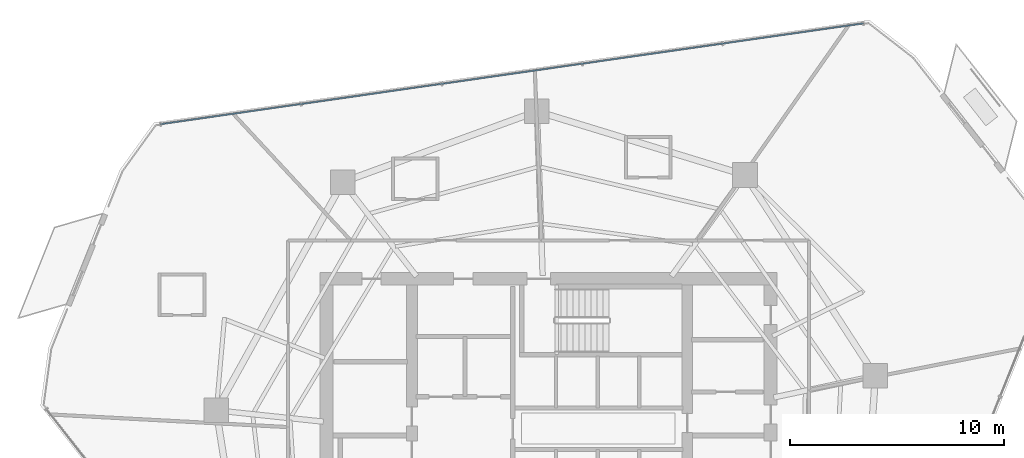
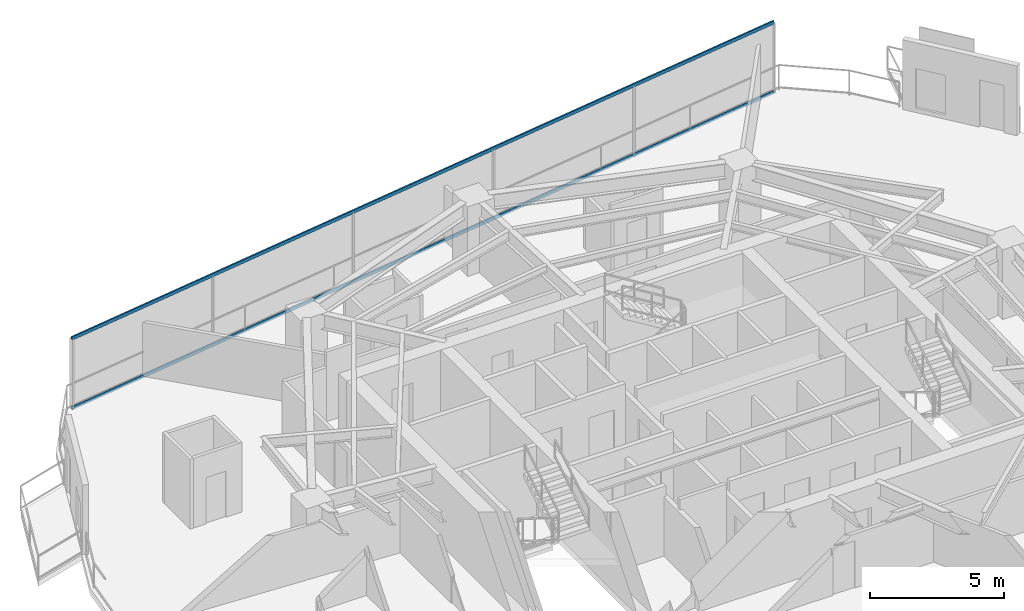
# One storey, part 19 of 29: 2 members, 1 element without a shape of its own.
"""IFC4 building model written with IfcOpenShell, lengths in metres."""

from ifc_helpers import new_model, si_unit, direction, frame, origin, origin_2d, place, context, subcontext, project, spatial, hollow_rectangle, extrude, material, layer, layer_set, material_profile, profile_set, type_object, element, aggregate, save


model = new_model("IFC4")

# Units and contexts
model_context = context("Model", 3, precision=1e-05, world=origin(), true_north=direction((0.0, 1.0)))
body_context = subcontext(model_context, "Body", "Model", "MODEL_VIEW")
ifc_project = project(units=[si_unit("LENGTHUNIT", "METRE"), si_unit("AREAUNIT", "SQUARE_METRE"), si_unit("VOLUMEUNIT", "CUBIC_METRE"), si_unit("PLANEANGLEUNIT", "RADIAN"), si_unit("MASSUNIT", "GRAM", prefix="KILO")], contexts=[model_context])

# Site, building, storey
site_placement = place(None, origin())
site = spatial("IfcSite", under=ifc_project, at=site_placement, CompositionType="ELEMENT")
building_placement = place(site_placement, origin())
building = spatial("IfcBuilding", under=site, at=building_placement, Name="Qarnah Convention Tower", CompositionType="ELEMENT")
storey_placement = place(building_placement, frame((0.0, 0.0, 97.050048828125)))
storey = spatial("IfcBuildingStorey", under=building, at=storey_placement, Name="L25", CompositionType="ELEMENT", Elevation=97.050048828125)

# Curtain wall, members
ifc_material_1 = material(Name="Tempered Low-E dark glass", Category="glass")
ifc_layer = layer(ifc_material_1, 0.169921875)
ifc_layer_set = layer_set([ifc_layer], Name="Tempered Low-E dark glass")
curtain_wall_type = type_object("IfcCurtainWallType", Name="CWS-02", PredefinedType="NOTDEFINED", material=ifc_layer_set)
curtain_wall_placement = place(storey_placement, origin())
curtain_wall = element("IfcCurtainWall", 1, at=curtain_wall_placement, inside=storey, type_object=curtain_wall_type, Name="L25 unitised curtain wall CW-L25-F1", PredefinedType="NOTDEFINED")
ifc_material_2 = material(Name="Black anodised aluminium", Category="aluminium")
ifc_material_profile = material_profile(ifc_material_2, hollow_rectangle(XDim=0.06494140625, YDim=0.14990234375, WallThickness=0.00390625, at=origin_2d()), Name="TRN-65X150")
ifc_profile_set = profile_set([ifc_material_profile], Name="Black anodised aluminium")
member_type = type_object("IfcMemberType", Name="TRN-T2", PredefinedType="USERDEFINED", material=ifc_profile_set)
member_1_placement = place(storey_placement, frame((19.031005859375, 41.44091796875, 0.0), z_axis=(0.989875928914, 0.14193535626, 0.0), x_axis=(-0.14193535626, 0.989875928914, 0.0)))
member_1 = element("IfcMember", 2, at=member_1_placement, type_object=member_type, Name="CW-L25-F1 transom 1", ObjectType="TRANSOM", PredefinedType="USERDEFINED", context=body_context, shape_type="SweptSolid", body=[
    extrude(hollow_rectangle(XDim=0.06494140625, YDim=0.14990234375, WallThickness=0.00390625, at=origin_2d()), origin(), (0.0, 0.0, 1.0), 33.24755859375),
])
member_2_placement = place(storey_placement, frame((19.031005859375, 41.44091796875, 3.169921875), z_axis=(0.989875928914, 0.14193535626, 0.0), x_axis=(-0.14193535626, 0.989875928914, 0.0)))
member_2 = element("IfcMember", 3, at=member_2_placement, type_object=member_type, Name="CW-L25-F1 transom 2", ObjectType="TRANSOM", PredefinedType="USERDEFINED", context=body_context, shape_type="SweptSolid", body=[
    extrude(hollow_rectangle(XDim=0.06494140625, YDim=0.14990234375, WallThickness=0.00390625, at=origin_2d()), origin(), (0.0, 0.0, 1.0), 33.24755859375),
])
aggregate(curtain_wall, [member_1, member_2])

save(model, "model.ifc")
